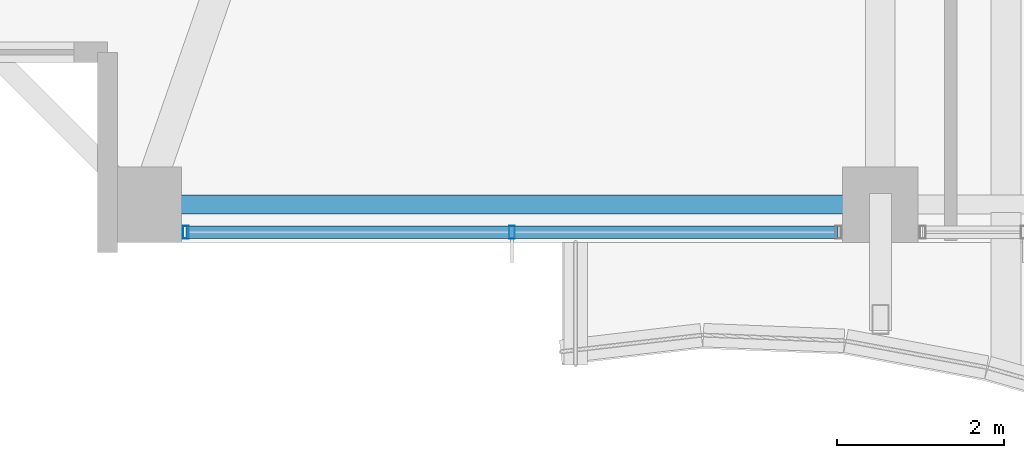
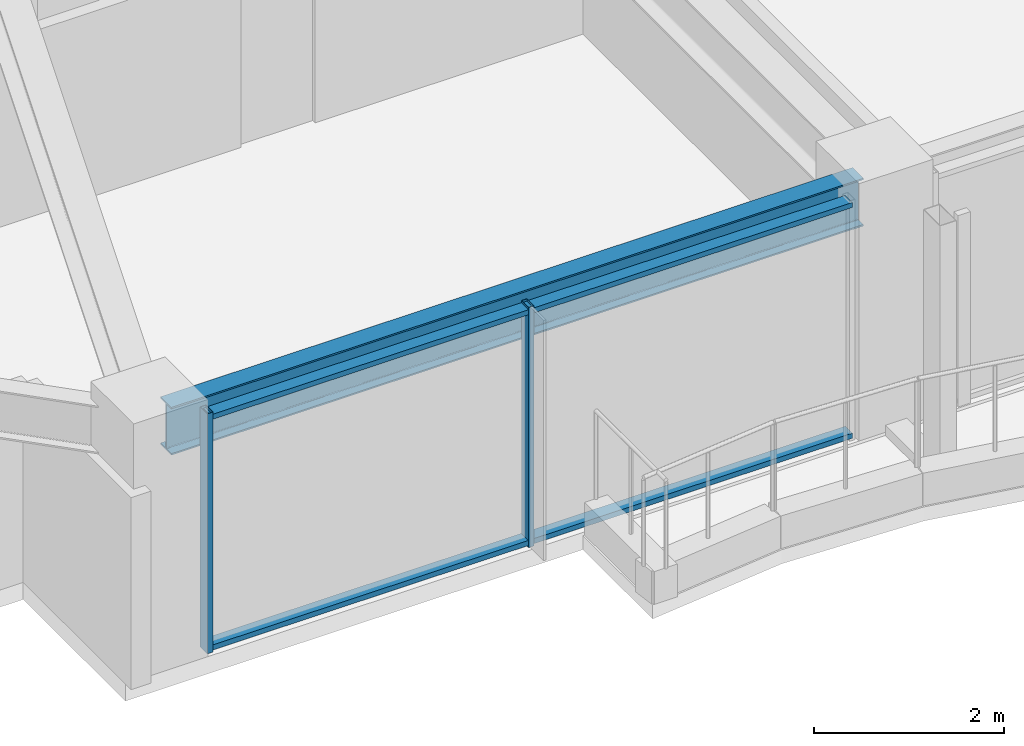
# One storey, part 2 of 37: 4 members, 1 beam, 1 element without a shape of its own.
"""IFC4 building model written with IfcOpenShell, lengths in metres."""

import ifcopenshell
import ifcopenshell.guid

model = None  # the IFC model being written
_history = None  # IfcOwnerHistory: only IFC2X3 demands one
_inside = {}  # id of a spatial element -> (the spatial element, [elements in it])
_under = {}  # id of a project, library or spatial element -> (it, [spatial elements below it])
_declared = {}  # id of a project -> (the project, [libraries it declares])
_typed = {}  # id of a type object -> (the type object, [elements of that type])
_made_of = {}  # id of a material, layer set ... -> (it, [elements and type objects made of it])


def new_model(schema):
    """Start an empty IFC model of exactly this schema.

    Asked for "IFC4X3", IfcOpenShell would pick the latest addendum, in which some entities
    have other attributes; the version numbers below select the first issue.
    IFC2X3 requires an IfcOwnerHistory on every rooted entity: one is made here for all.
    """
    global model, _history
    if schema == "IFC4X3":
        model = ifcopenshell.file(schema_version=(4, 3, 0, 0))
    else:
        model = ifcopenshell.file(schema=schema)
    _inside.clear()
    _under.clear()
    _declared.clear()
    _typed.clear()
    _made_of.clear()
    _history = None
    if model.schema == "IFC2X3":
        org = make("IfcOrganization", Name="unknown")
        user = make(
            "IfcPersonAndOrganization",
            ThePerson=make("IfcPerson", FamilyName="unknown"),
            TheOrganization=org,
        )
        app = make(
            "IfcApplication",
            ApplicationDeveloper=org,
            Version="unknown",
            ApplicationFullName="unknown",
            ApplicationIdentifier="unknown",
        )
        _history = make(
            "IfcOwnerHistory",
            OwningUser=user,
            OwningApplication=app,
            ChangeAction="ADDED",
            CreationDate=0,
        )
    return model


def make(cls, **values):
    """One entity of the class cls with the attributes given. An attribute that is None is left unset."""
    return model.create_entity(
        cls, **{name: value for name, value in values.items() if value is not None}
    )


def rooted(cls, **values):
    """An entity with a GlobalId (a new one), such as an element, a storey or a relation."""
    return make(cls, GlobalId=ifcopenshell.guid.new(), OwnerHistory=_history, **values)


def si_unit(unit_type, name, prefix=None):
    """IfcSIUnit, for example si_unit("LENGTHUNIT", "METRE", prefix="MILLI")."""
    return make("IfcSIUnit", UnitType=unit_type, Prefix=prefix, Name=name)


def assignment(units):
    """IfcUnitAssignment: the units of a project."""
    return None if units is None else make("IfcUnitAssignment", Units=units)


def point(xyz):
    """IfcCartesianPoint."""
    return None if xyz is None else make("IfcCartesianPoint", Coordinates=xyz)


def direction(xyz):
    """IfcDirection."""
    return None if xyz is None else make("IfcDirection", DirectionRatios=xyz)


def frame(location, z_axis=None, x_axis=None):
    """IfcAxis2Placement3D, a coordinate frame: its origin and axes. An axis left out is left unset."""
    return make(
        "IfcAxis2Placement3D",
        Location=point(location),
        Axis=direction(z_axis),
        RefDirection=direction(x_axis),
    )


def frame_2d(location, x_axis=None):
    """IfcAxis2Placement2D, a coordinate frame in the plane: its origin and x axis."""
    return make(
        "IfcAxis2Placement2D", Location=point(location), RefDirection=direction(x_axis)
    )


def origin():
    """The frame at (0, 0, 0) with its axes left unset."""
    return frame((0.0, 0.0, 0.0))


def origin_2d():
    """The frame at (0, 0) in the plane with its x axis left unset."""
    return frame_2d((0.0, 0.0))


def place(relative_to, where):
    """IfcLocalPlacement: puts the frame where relative to a parent placement (None: the world)."""
    return make(
        "IfcLocalPlacement", PlacementRelTo=relative_to, RelativePlacement=where
    )


def context(
    kind, dimensions, precision=None, world=None, true_north=None, identifier=None
):
    """IfcGeometricRepresentationContext, for example the 3D "Model" context."""
    return make(
        "IfcGeometricRepresentationContext",
        ContextIdentifier=identifier,
        ContextType=kind,
        CoordinateSpaceDimension=dimensions,
        Precision=precision,
        WorldCoordinateSystem=world,
        TrueNorth=true_north,
    )


def subcontext(parent, identifier, kind, view, scale=None):
    """IfcGeometricRepresentationSubContext, for example "Body" below "Model"."""
    return make(
        "IfcGeometricRepresentationSubContext",
        ContextIdentifier=identifier,
        ContextType=kind,
        ParentContext=parent,
        TargetScale=scale,
        TargetView=view,
    )


def project(units=None, contexts=None):
    """IfcProject with its units and contexts."""
    return rooted(
        "IfcProject",
        Name="project",
        RepresentationContexts=contexts,
        UnitsInContext=assignment(units),
    )


def spatial(cls, under=None, at=None, **own):
    """A site, building, storey or space (cls), placed at a placement, below another one or the project."""
    s = rooted(cls, ObjectPlacement=at, **own)
    if under is not None:
        _under.setdefault(under.id(), (under, []))[1].append(s)
    return s


def profile(cls, at=None, kind="AREA", **sizes):
    """A parametric profile (cls). Its sizes go by their IFC names, for example OverallWidth=200.0."""
    return make(cls, ProfileType=kind, Position=at, **sizes)


def hollow_rectangle(**sizes):
    """IfcRectangleHollowProfileDef."""
    return profile("IfcRectangleHollowProfileDef", **sizes)


def i_section(**sizes):
    """IfcIShapeProfileDef."""
    return profile("IfcIShapeProfileDef", **sizes)


def extrude(swept, where, along, depth):
    """IfcExtrudedAreaSolid: the profile swept, set in the frame where, extruded along a direction by depth."""
    return make(
        "IfcExtrudedAreaSolid",
        SweptArea=swept,
        Position=where,
        ExtrudedDirection=direction(along),
        Depth=depth,
    )


def shape(context_of_items, identifier, shape_type, items):
    """IfcShapeRepresentation: the items that make up one representation, for example the "Body"."""
    return make(
        "IfcShapeRepresentation",
        ContextOfItems=context_of_items,
        RepresentationIdentifier=identifier,
        RepresentationType=shape_type,
        Items=items,
    )


def material(Name=None, Category=None):
    """IfcMaterial."""
    return make("IfcMaterial", Name=Name, Category=Category)


def material_profile(
    of_material, cross_section, Name=None, Category=None, Priority=None
):
    """IfcMaterialProfile: a cross section and its material."""
    return make(
        "IfcMaterialProfile",
        Name=Name,
        Material=of_material,
        Profile=cross_section,
        Priority=Priority,
        Category=Category,
    )


def profile_set(profiles, Name=None, composite=None):
    """IfcMaterialProfileSet."""
    return make(
        "IfcMaterialProfileSet",
        Name=Name,
        MaterialProfiles=profiles,
        CompositeProfile=composite,
    )


def made_of(thing, what):
    """Note that an element or type object is made of a material, layer set ...; save() writes the relation."""
    if what is not None:
        _made_of.setdefault(what.id(), (what, []))[1].append(thing)
    return thing


def type_object(cls, material=None, **own):
    """A type object (cls), such as IfcWallType, which elements share."""
    return made_of(rooted(cls, **own), material)


def element(
    cls,
    number,
    at=None,
    inside=None,
    cuts=None,
    type_object=None,
    material=None,
    context=None,
    identifier="Body",
    shape_type=None,
    held_by="IfcProductDefinitionShape",
    body=None,
    shapes=None,
    **own,
):
    """One element of the class cls, such as IfcWall. Its Tag is "e" and its number.

    at: its placement. inside: the storey or other place that contains it. cuts: it is an
    opening in that element (IfcRelVoidsElement). A single representation is given by context,
    identifier, shape_type and body (its items); several are given by shapes. held_by: the class
    of the entity that holds the representations. save() writes the other relations.
    """
    e = rooted(cls, Tag="e%d" % number, ObjectPlacement=at, **own)
    if body is not None:
        shapes = [shape(context, identifier, shape_type, body)]
    if shapes is not None:
        e.Representation = make(held_by, Representations=shapes)
    if inside is not None:
        _inside.setdefault(inside.id(), (inside, []))[1].append(e)
    if cuts is not None:
        rooted(
            "IfcRelVoidsElement", RelatingBuildingElement=cuts, RelatedOpeningElement=e
        )
    if type_object is not None:
        _typed.setdefault(type_object.id(), (type_object, []))[1].append(e)
    return made_of(e, material)


def aggregate(whole, parts):
    """IfcRelAggregates: a whole, such as a stair, and the parts it consists of."""
    return rooted("IfcRelAggregates", RelatingObject=whole, RelatedObjects=parts)


def save(model, path):
    """Write the relations noted so far, then the file.

    IfcRelAggregates (storeys below a building ...), IfcRelContainedInSpatialStructure (elements
    in a storey), IfcRelDefinesByType, IfcRelAssociatesMaterial and IfcRelDeclares: one each for
    every whole, place, type object, material and project.
    """
    for whole, parts in _under.values():
        aggregate(whole, parts)
    for where, things in _inside.values():
        rooted(
            "IfcRelContainedInSpatialStructure",
            RelatedElements=things,
            RelatingStructure=where,
        )
    for kind, things in _typed.values():
        rooted("IfcRelDefinesByType", RelatedObjects=things, RelatingType=kind)
    for what, things in _made_of.values():
        rooted("IfcRelAssociatesMaterial", RelatedObjects=things, RelatingMaterial=what)
    for by, libraries in _declared.values():
        rooted("IfcRelDeclares", RelatingContext=by, RelatedDefinitions=libraries)
    model.write(path)


model = new_model("IFC4")

# Units and contexts
model_context = context("Model", 3, precision=1e-05, world=origin(), true_north=direction((0.0, 1.0)))
body_context = subcontext(model_context, "Body", "Model", "MODEL_VIEW")
ifc_project = project(units=[si_unit("LENGTHUNIT", "METRE"), si_unit("AREAUNIT", "SQUARE_METRE"), si_unit("VOLUMEUNIT", "CUBIC_METRE"), si_unit("PLANEANGLEUNIT", "RADIAN"), si_unit("MASSUNIT", "GRAM", prefix="KILO")], contexts=[model_context])

# Site, building, storey
site_placement = place(None, origin())
site = spatial("IfcSite", under=ifc_project, at=site_placement, CompositionType="ELEMENT")
building_placement = place(site_placement, origin())
building = spatial("IfcBuilding", under=site, at=building_placement, Name="Kolvaren Belvedere", CompositionType="ELEMENT")
storey_placement = place(building_placement, frame((0.0, 0.0, 180.0)))
storey = spatial("IfcBuildingStorey", under=building, at=storey_placement, Name="L52", CompositionType="ELEMENT", Elevation=180.0)

# Beam
ifc_material_1 = material(Name="Structural steel ASTM A992 Grade 50", Category="steel")
ifc_material_profile_1 = material_profile(ifc_material_1, i_section(OverallWidth=0.22900390625, OverallDepth=0.612060546875, WebThickness=0.011962890625, FlangeThickness=0.01953125, FilletRadius=0.01806640625, at=origin_2d()), Name="W24X84")
ifc_profile_set_1 = profile_set([ifc_material_profile_1], Name="Structural steel ASTM A992 Grade 50")
beam_type = type_object("IfcBeamType", Name="BM-SPAN-W24X84", PredefinedType="SPANDREL", material=ifc_profile_set_1)
beam_placement = place(storey_placement, frame((-13.197509765625, -19.949951171875, 2.77392578125), z_axis=(1.0, 0.0, 0.0), x_axis=(0.0, 1.0, 0.0)))
element("IfcBeam", 1, at=beam_placement, inside=storey, type_object=beam_type, Name="L52 Perimeter Spandrel S1-S2", PredefinedType="SPANDREL", context=body_context, shape_type="SweptSolid", body=[
    extrude(i_section(OverallWidth=0.22900390625, OverallDepth=0.612060546875, WebThickness=0.011962890625, FlangeThickness=0.01953125, FilletRadius=0.01806640625, at=origin_2d()), origin(), (0.0, 0.0, 1.0), 8.39501953125),
])

# Curtain wall, members
ifc_material_2 = material(Name="Anodised pale-metal aluminium AA 6063-T6", Category="aluminium")
curtain_wall_type = type_object("IfcCurtainWallType", Name="CW-Z5-HIGH", PredefinedType="NOTDEFINED", material=ifc_material_2)
curtain_wall_placement = place(storey_placement, origin())
curtain_wall = element("IfcCurtainWall", 2, at=curtain_wall_placement, inside=storey, type_object=curtain_wall_type, Name="L52 Unitised Curtain Wall FCW-L52-S2-B2", PredefinedType="NOTDEFINED")
ifc_material_3 = material(Name="Anodised pale-metal aluminium AA 6063-T6", Category="aluminium")
ifc_material_profile_2 = material_profile(ifc_material_3, hollow_rectangle(XDim=0.070068359375, YDim=0.14990234375, WallThickness=0.004150390625, at=origin_2d()), Name="ALU-MUL-150X70")
ifc_profile_set_2 = profile_set([ifc_material_profile_2], Name="Anodised pale-metal aluminium AA 6063-T6")
member_type_1 = type_object("IfcMemberType", Name="CW-MUL-150", PredefinedType="MULLION", material=ifc_profile_set_2)
member_1_placement = place(storey_placement, frame((-9.0, -20.280029296875, 0.0), z_axis=(0.0, 0.0, 1.0), x_axis=(1.0, 0.0, 0.0)))
member_1 = element("IfcMember", 3, at=member_1_placement, type_object=member_type_1, Name="FCW-L52-S2-B2 Unitised Mullion 2", PredefinedType="MULLION", context=body_context, shape_type="SweptSolid", body=[
    extrude(hollow_rectangle(XDim=0.070068359375, YDim=0.14990234375, WallThickness=0.004150390625, at=origin_2d()), origin(), (0.0, 0.0, 1.0), 3.080078125),
])
member_2_placement = place(storey_placement, frame((-12.89501953125, -20.280029296875, 0.0), z_axis=(0.0, 0.0, 1.0), x_axis=(1.0, 0.0, 0.0)))
member_2 = element("IfcMember", 4, at=member_2_placement, type_object=member_type_1, Name="FCW-L52-S2-B2 Unitised Mullion 3", PredefinedType="MULLION", context=body_context, shape_type="SweptSolid", body=[
    extrude(hollow_rectangle(XDim=0.070068359375, YDim=0.14990234375, WallThickness=0.004150390625, at=origin_2d()), origin(), (0.0, 0.0, 1.0), 3.080078125),
])
ifc_material_4 = material(Name="Anodised pale-metal aluminium AA 6063-T6", Category="aluminium")
ifc_material_profile_3 = material_profile(ifc_material_4, hollow_rectangle(XDim=0.06494140625, YDim=0.14990234375, WallThickness=0.00390625, at=origin_2d()), Name="ALU-TRN-150X65")
ifc_profile_set_3 = profile_set([ifc_material_profile_3], Name="Anodised pale-metal aluminium AA 6063-T6")
member_type_2 = type_object("IfcMemberType", Name="CW-TRN-150", PredefinedType="USERDEFINED", material=ifc_profile_set_3)
member_3_placement = place(storey_placement, frame((-5.10498046875, -20.280029296875, 0.06005859375), z_axis=(-1.0, 0.0, 0.0), x_axis=(0.0, 0.0, 1.0)))
member_3 = element("IfcMember", 5, at=member_3_placement, type_object=member_type_2, Name="FCW-L52-S2-B2 Sill Transom", ObjectType="TRANSOM", PredefinedType="USERDEFINED", context=body_context, shape_type="SweptSolid", body=[
    extrude(hollow_rectangle(XDim=0.06494140625, YDim=0.14990234375, WallThickness=0.00390625, at=origin_2d()), origin(), (0.0, 0.0, 1.0), 7.7900390625),
])
member_4_placement = place(storey_placement, frame((-5.10498046875, -20.280029296875, 3.02001953125), z_axis=(-1.0, 0.0, 0.0), x_axis=(0.0, 0.0, 1.0)))
member_4 = element("IfcMember", 6, at=member_4_placement, type_object=member_type_2, Name="FCW-L52-S2-B2 Head Transom", ObjectType="TRANSOM", PredefinedType="USERDEFINED", context=body_context, shape_type="SweptSolid", body=[
    extrude(hollow_rectangle(XDim=0.06494140625, YDim=0.14990234375, WallThickness=0.00390625, at=origin_2d()), origin(), (0.0, 0.0, 1.0), 7.7900390625),
])
aggregate(curtain_wall, [member_1, member_2, member_3, member_4])

save(model, "model.ifc")
